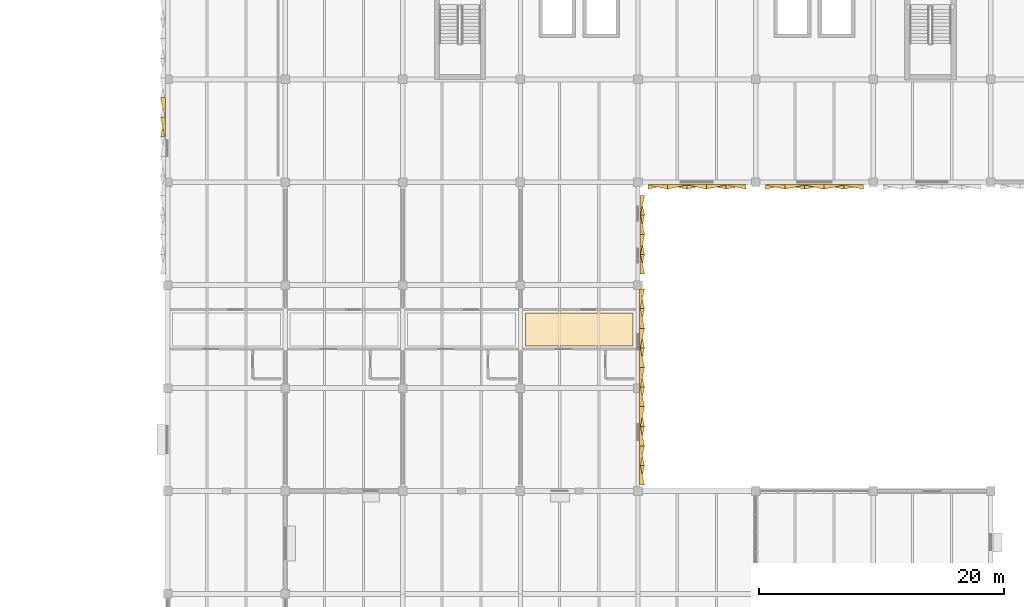
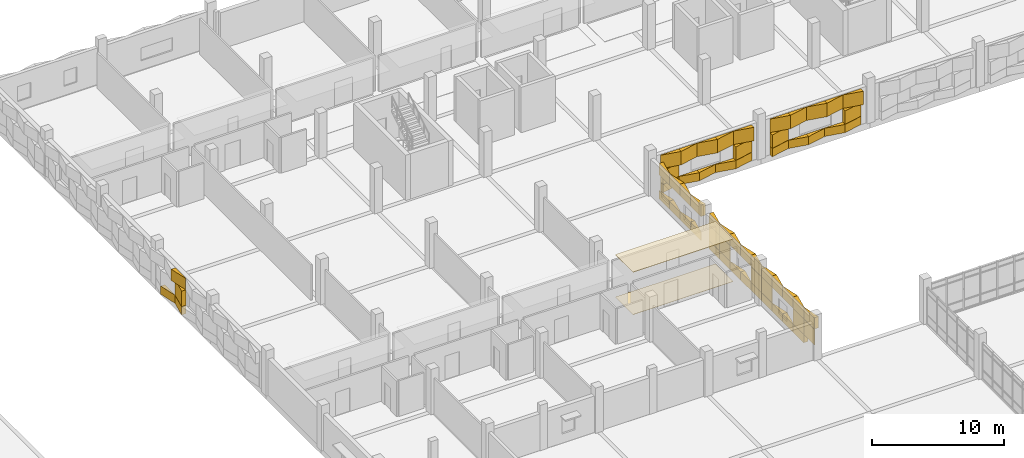
# One storey, part 53 of 57: 63 coverings.
"""IFC4 building model written with IfcOpenShell, lengths in metres."""

from ifc_helpers import new_model, si_unit, direction, frame, origin, place, context, subcontext, project, spatial, polyline, outline, extrude, material, layer, layer_set, type_object, element, save


model = new_model("IFC4")

# Units and contexts
model_context = context("Model", 3, precision=1e-05, world=origin(), true_north=direction((0.0, 1.0)))
body_context = subcontext(model_context, "Body", "Model", "MODEL_VIEW")
ifc_project = project(units=[si_unit("LENGTHUNIT", "METRE"), si_unit("AREAUNIT", "SQUARE_METRE"), si_unit("VOLUMEUNIT", "CUBIC_METRE"), si_unit("PLANEANGLEUNIT", "RADIAN"), si_unit("MASSUNIT", "GRAM", prefix="KILO")], contexts=[model_context])

# Site, building, storey
site_placement = place(None, origin())
site = spatial("IfcSite", under=ifc_project, at=site_placement, CompositionType="ELEMENT")
building_placement = place(site_placement, origin())
building = spatial("IfcBuilding", under=site, at=building_placement, Name="Oolite Switchyard Hospital", CompositionType="ELEMENT")
storey_placement = place(building_placement, frame((0.0, 0.0, 17.800048828125)))
storey = spatial("IfcBuildingStorey", under=building, at=storey_placement, Name="L04", CompositionType="ELEMENT", Elevation=17.800048828125)

# Coverings
ifc_material_1 = material(Name="Hygienic washable mineral-fibre acoustic ceiling")
ifc_layer_1 = layer(ifc_material_1, 0.0400390625)
ifc_layer_set_1 = layer_set([ifc_layer_1], Name="COV-CEIL-AC60")
covering_type_1 = type_object("IfcCoveringType", Name="COV-CEIL-AC60", PredefinedType="CEILING", material=ifc_layer_set_1)
covering_1_placement = place(storey_placement, frame((0.0, 0.0, 3.925048828125)))
element("IfcCovering", 1, at=covering_1_placement, inside=storey, type_object=covering_type_1, Name="L04 Hematology Stem-Cell Link Corridor L04 Ceiling 4", PredefinedType="CEILING", context=body_context, shape_type="SweptSolid", body=[
    extrude(outline(polyline([(163.60009765625, 87.449951171875), (172.39990234375, 87.449951171875), (172.39990234375, 90.14990234375), (163.60009765625, 90.14990234375), (163.60009765625, 87.449951171875)])), origin(), (0.0, 0.0, 1.0), 0.039794921875),
])
ifc_material_2 = material(Name="Precast oolitic limestone architectural concrete C40/50", Category="masonry")
covering_type_2 = type_object("IfcCoveringType", Name="COV-CHEV-COOL", PredefinedType="CLADDING", material=ifc_material_2)
covering_2_placement = place(storey_placement, frame((181.60009765625, 100.6298828125, 0.050048828125), z_axis=(0.0, 0.0, 1.0), x_axis=(-1.0, 0.0, 0.0)))
element("IfcCovering", 2, at=covering_2_placement, inside=storey, type_object=covering_type_2, Name="L04 Chevron Precast Oolite Panel 700", PredefinedType="CLADDING", context=body_context, shape_type="SweptSolid", body=[
    extrude(outline(polyline([(0.0, 0.0), (1.60009765625, 0.0), (1.60009765625, 0.385009765625), (0.0, 0.044921875), (0.0, 0.0)])), origin(), (0.0, 0.0, 1.0), 0.760009765625),
])
covering_3_placement = place(storey_placement, frame((181.60009765625, 100.6298828125, 2.08984375), z_axis=(0.0, 0.0, 1.0), x_axis=(-1.0, 0.0, 0.0)))
element("IfcCovering", 3, at=covering_3_placement, inside=storey, type_object=covering_type_2, Name="L04 Chevron Precast Oolite Panel 701", PredefinedType="CLADDING", context=body_context, shape_type="SweptSolid", body=[
    extrude(outline(polyline([(0.0, 0.0), (1.60009765625, 0.0), (1.60009765625, 0.044921875), (0.0, 0.385009765625), (0.0, 0.0)])), origin(), (0.0, 0.0, 1.0), 1.25),
])
covering_4_placement = place(storey_placement, frame((181.60009765625, 100.6298828125, 0.829833984375), z_axis=(0.0, 0.0, 1.0), x_axis=(-1.0, 0.0, 0.0)))
element("IfcCovering", 4, at=covering_4_placement, inside=storey, type_object=covering_type_2, Name="L04 Chevron Precast Oolite Panel 702", PredefinedType="CLADDING", context=body_context, shape_type="SweptSolid", body=[
    extrude(outline(polyline([(0.0, 0.0), (1.60009765625, 0.0), (1.60009765625, 0.385009765625), (0.0, 0.044921875), (0.0, 0.0)])), origin(), (0.0, 0.0, 1.0), 1.240234375),
])
covering_5_placement = place(storey_placement, frame((180.0, 100.6298828125, 0.050048828125), z_axis=(0.0, 0.0, 1.0), x_axis=(-1.0, 0.0, 0.0)))
element("IfcCovering", 5, at=covering_5_placement, inside=storey, type_object=covering_type_2, Name="L04 Chevron Precast Oolite Panel 703", PredefinedType="CLADDING", context=body_context, shape_type="SweptSolid", body=[
    extrude(outline(polyline([(0.0, 0.0), (1.60009765625, 0.0), (1.60009765625, 0.044921875), (0.0, 0.385009765625), (0.0, 0.0)])), origin(), (0.0, 0.0, 1.0), 0.760009765625),
])
covering_6_placement = place(storey_placement, frame((180.0, 100.6298828125, 2.08984375), z_axis=(0.0, 0.0, 1.0), x_axis=(-1.0, 0.0, 0.0)))
element("IfcCovering", 6, at=covering_6_placement, inside=storey, type_object=covering_type_2, Name="L04 Chevron Precast Oolite Panel 704", PredefinedType="CLADDING", context=body_context, shape_type="SweptSolid", body=[
    extrude(outline(polyline([(0.0, 0.0), (1.60009765625, 0.0), (1.60009765625, 0.385009765625), (0.0, 0.044921875), (0.0, 0.0)])), origin(), (0.0, 0.0, 1.0), 1.25),
])
covering_7_placement = place(storey_placement, frame((178.39990234375, 100.6298828125, 0.050048828125), z_axis=(0.0, 0.0, 1.0), x_axis=(-1.0, 0.0, 0.0)))
element("IfcCovering", 7, at=covering_7_placement, inside=storey, type_object=covering_type_2, Name="L04 Chevron Precast Oolite Panel 705", PredefinedType="CLADDING", context=body_context, shape_type="SweptSolid", body=[
    extrude(outline(polyline([(0.0, 0.0), (1.599853515625, 0.0), (1.599853515625, 0.385009765625), (0.0, 0.044921875), (0.0, 0.0)])), origin(), (0.0, 0.0, 1.0), 0.760009765625),
])
covering_8_placement = place(storey_placement, frame((178.39990234375, 100.6298828125, 2.08984375), z_axis=(0.0, 0.0, 1.0), x_axis=(-1.0, 0.0, 0.0)))
element("IfcCovering", 8, at=covering_8_placement, inside=storey, type_object=covering_type_2, Name="L04 Chevron Precast Oolite Panel 706", PredefinedType="CLADDING", context=body_context, shape_type="SweptSolid", body=[
    extrude(outline(polyline([(0.0, 0.0), (1.599853515625, 0.0), (1.599853515625, 0.044921875), (0.0, 0.385009765625), (0.0, 0.0)])), origin(), (0.0, 0.0, 1.0), 1.25),
])
covering_9_placement = place(storey_placement, frame((176.800048828125, 100.6298828125, 0.050048828125), z_axis=(0.0, 0.0, 1.0), x_axis=(-1.0, 0.0, 0.0)))
element("IfcCovering", 9, at=covering_9_placement, inside=storey, type_object=covering_type_2, Name="L04 Chevron Precast Oolite Panel 707", PredefinedType="CLADDING", context=body_context, shape_type="SweptSolid", body=[
    extrude(outline(polyline([(0.0, 0.0), (1.60009765625, 0.0), (1.60009765625, 0.044921875), (0.0, 0.385009765625), (0.0, 0.0)])), origin(), (0.0, 0.0, 1.0), 0.760009765625),
])
covering_10_placement = place(storey_placement, frame((176.800048828125, 100.6298828125, 2.08984375), z_axis=(0.0, 0.0, 1.0), x_axis=(-1.0, 0.0, 0.0)))
element("IfcCovering", 10, at=covering_10_placement, inside=storey, type_object=covering_type_2, Name="L04 Chevron Precast Oolite Panel 708", PredefinedType="CLADDING", context=body_context, shape_type="SweptSolid", body=[
    extrude(outline(polyline([(0.0, 0.0), (1.60009765625, 0.0), (1.60009765625, 0.385009765625), (0.0, 0.044921875), (0.0, 0.0)])), origin(), (0.0, 0.0, 1.0), 1.25),
])
covering_11_placement = place(storey_placement, frame((175.199951171875, 100.6298828125, 0.050048828125), z_axis=(0.0, 0.0, 1.0), x_axis=(-1.0, 0.0, 0.0)))
element("IfcCovering", 11, at=covering_11_placement, inside=storey, type_object=covering_type_2, Name="L04 Chevron Precast Oolite Panel 709", PredefinedType="CLADDING", context=body_context, shape_type="SweptSolid", body=[
    extrude(outline(polyline([(0.0, 0.0), (1.599853515625, 0.0), (1.599853515625, 0.385009765625), (0.0, 0.044921875), (0.0, 0.0)])), origin(), (0.0, 0.0, 1.0), 0.760009765625),
])
covering_12_placement = place(storey_placement, frame((175.199951171875, 100.6298828125, 2.08984375), z_axis=(0.0, 0.0, 1.0), x_axis=(-1.0, 0.0, 0.0)))
element("IfcCovering", 12, at=covering_12_placement, inside=storey, type_object=covering_type_2, Name="L04 Chevron Precast Oolite Panel 710", PredefinedType="CLADDING", context=body_context, shape_type="SweptSolid", body=[
    extrude(outline(polyline([(0.0, 0.0), (1.599853515625, 0.0), (1.599853515625, 0.044921875), (0.0, 0.385009765625), (0.0, 0.0)])), origin(), (0.0, 0.0, 1.0), 1.25),
])
covering_13_placement = place(storey_placement, frame((175.199951171875, 100.6298828125, 0.829833984375), z_axis=(0.0, 0.0, 1.0), x_axis=(-1.0, 0.0, 0.0)))
element("IfcCovering", 13, at=covering_13_placement, inside=storey, type_object=covering_type_2, Name="L04 Chevron Precast Oolite Panel 711", PredefinedType="CLADDING", context=body_context, shape_type="SweptSolid", body=[
    extrude(outline(polyline([(0.0, 0.0), (1.599853515625, 0.0), (1.599853515625, 0.385009765625), (0.0, 0.044921875), (0.0, 0.0)])), origin(), (0.0, 0.0, 1.0), 1.240234375),
])
covering_14_placement = place(storey_placement, frame((191.199951171875, 100.6201171875, 0.050048828125), z_axis=(0.0, 0.0, 1.0), x_axis=(-1.0, 0.0, 0.0)))
element("IfcCovering", 14, at=covering_14_placement, inside=storey, type_object=covering_type_2, Name="L04 Chevron Precast Oolite Panel 712", PredefinedType="CLADDING", context=body_context, shape_type="SweptSolid", body=[
    extrude(outline(polyline([(0.0, 0.0), (1.599853515625, 0.0), (1.599853515625, 0.385009765625), (0.0, 0.044921875), (0.0, 0.0)])), origin(), (0.0, 0.0, 1.0), 0.760009765625),
])
covering_15_placement = place(storey_placement, frame((191.199951171875, 100.6201171875, 2.08984375), z_axis=(0.0, 0.0, 1.0), x_axis=(-1.0, 0.0, 0.0)))
element("IfcCovering", 15, at=covering_15_placement, inside=storey, type_object=covering_type_2, Name="L04 Chevron Precast Oolite Panel 713", PredefinedType="CLADDING", context=body_context, shape_type="SweptSolid", body=[
    extrude(outline(polyline([(0.0, 0.0), (1.599853515625, 0.0), (1.599853515625, 0.044921875), (0.0, 0.385009765625), (0.0, 0.0)])), origin(), (0.0, 0.0, 1.0), 1.25),
])
covering_16_placement = place(storey_placement, frame((191.199951171875, 100.6201171875, 0.829833984375), z_axis=(0.0, 0.0, 1.0), x_axis=(-1.0, 0.0, 0.0)))
element("IfcCovering", 16, at=covering_16_placement, inside=storey, type_object=covering_type_2, Name="L04 Chevron Precast Oolite Panel 714", PredefinedType="CLADDING", context=body_context, shape_type="SweptSolid", body=[
    extrude(outline(polyline([(0.0, 0.0), (1.599853515625, 0.0), (1.599853515625, 0.385009765625), (0.0, 0.044921875), (0.0, 0.0)])), origin(), (0.0, 0.0, 1.0), 1.240234375),
])
covering_17_placement = place(storey_placement, frame((189.60009765625, 100.6201171875, 0.050048828125), z_axis=(0.0, 0.0, 1.0), x_axis=(-1.0, 0.0, 0.0)))
element("IfcCovering", 17, at=covering_17_placement, inside=storey, type_object=covering_type_2, Name="L04 Chevron Precast Oolite Panel 715", PredefinedType="CLADDING", context=body_context, shape_type="SweptSolid", body=[
    extrude(outline(polyline([(0.0, 0.0), (1.60009765625, 0.0), (1.60009765625, 0.044921875), (0.0, 0.385009765625), (0.0, 0.0)])), origin(), (0.0, 0.0, 1.0), 0.760009765625),
])
covering_18_placement = place(storey_placement, frame((189.60009765625, 100.6201171875, 2.08984375), z_axis=(0.0, 0.0, 1.0), x_axis=(-1.0, 0.0, 0.0)))
element("IfcCovering", 18, at=covering_18_placement, inside=storey, type_object=covering_type_2, Name="L04 Chevron Precast Oolite Panel 716", PredefinedType="CLADDING", context=body_context, shape_type="SweptSolid", body=[
    extrude(outline(polyline([(0.0, 0.0), (1.60009765625, 0.0), (1.60009765625, 0.385009765625), (0.0, 0.044921875), (0.0, 0.0)])), origin(), (0.0, 0.0, 1.0), 1.25),
])
covering_19_placement = place(storey_placement, frame((188.0, 100.6201171875, 0.050048828125), z_axis=(0.0, 0.0, 1.0), x_axis=(-1.0, 0.0, 0.0)))
element("IfcCovering", 19, at=covering_19_placement, inside=storey, type_object=covering_type_2, Name="L04 Chevron Precast Oolite Panel 717", PredefinedType="CLADDING", context=body_context, shape_type="SweptSolid", body=[
    extrude(outline(polyline([(0.0, 0.0), (1.60009765625, 0.0), (1.60009765625, 0.385009765625), (0.0, 0.044921875), (0.0, 0.0)])), origin(), (0.0, 0.0, 1.0), 0.760009765625),
])
covering_20_placement = place(storey_placement, frame((188.0, 100.6201171875, 2.08984375), z_axis=(0.0, 0.0, 1.0), x_axis=(-1.0, 0.0, 0.0)))
element("IfcCovering", 20, at=covering_20_placement, inside=storey, type_object=covering_type_2, Name="L04 Chevron Precast Oolite Panel 718", PredefinedType="CLADDING", context=body_context, shape_type="SweptSolid", body=[
    extrude(outline(polyline([(0.0, 0.0), (1.60009765625, 0.0), (1.60009765625, 0.044921875), (0.0, 0.385009765625), (0.0, 0.0)])), origin(), (0.0, 0.0, 1.0), 1.25),
])
covering_21_placement = place(storey_placement, frame((186.39990234375, 100.6201171875, 0.050048828125), z_axis=(0.0, 0.0, 1.0), x_axis=(-1.0, 0.0, 0.0)))
element("IfcCovering", 21, at=covering_21_placement, inside=storey, type_object=covering_type_2, Name="L04 Chevron Precast Oolite Panel 719", PredefinedType="CLADDING", context=body_context, shape_type="SweptSolid", body=[
    extrude(outline(polyline([(0.0, 0.0), (1.599853515625, 0.0), (1.599853515625, 0.044921875), (0.0, 0.385009765625), (0.0, 0.0)])), origin(), (0.0, 0.0, 1.0), 0.760009765625),
])
covering_22_placement = place(storey_placement, frame((186.39990234375, 100.6201171875, 2.08984375), z_axis=(0.0, 0.0, 1.0), x_axis=(-1.0, 0.0, 0.0)))
element("IfcCovering", 22, at=covering_22_placement, inside=storey, type_object=covering_type_2, Name="L04 Chevron Precast Oolite Panel 720", PredefinedType="CLADDING", context=body_context, shape_type="SweptSolid", body=[
    extrude(outline(polyline([(0.0, 0.0), (1.599853515625, 0.0), (1.599853515625, 0.385009765625), (0.0, 0.044921875), (0.0, 0.0)])), origin(), (0.0, 0.0, 1.0), 1.25),
])
covering_23_placement = place(storey_placement, frame((184.800048828125, 100.6201171875, 0.050048828125), z_axis=(0.0, 0.0, 1.0), x_axis=(-1.0, 0.0, 0.0)))
element("IfcCovering", 23, at=covering_23_placement, inside=storey, type_object=covering_type_2, Name="L04 Chevron Precast Oolite Panel 721", PredefinedType="CLADDING", context=body_context, shape_type="SweptSolid", body=[
    extrude(outline(polyline([(0.0, 0.0), (1.60009765625, 0.0), (1.60009765625, 0.385009765625), (0.0, 0.044921875), (0.0, 0.0)])), origin(), (0.0, 0.0, 1.0), 0.760009765625),
])
covering_24_placement = place(storey_placement, frame((184.800048828125, 100.6201171875, 2.08984375), z_axis=(0.0, 0.0, 1.0), x_axis=(-1.0, 0.0, 0.0)))
element("IfcCovering", 24, at=covering_24_placement, inside=storey, type_object=covering_type_2, Name="L04 Chevron Precast Oolite Panel 722", PredefinedType="CLADDING", context=body_context, shape_type="SweptSolid", body=[
    extrude(outline(polyline([(0.0, 0.0), (1.60009765625, 0.0), (1.60009765625, 0.044921875), (0.0, 0.385009765625), (0.0, 0.0)])), origin(), (0.0, 0.0, 1.0), 1.25),
])
covering_25_placement = place(storey_placement, frame((184.800048828125, 100.6201171875, 0.829833984375), z_axis=(0.0, 0.0, 1.0), x_axis=(-1.0, 0.0, 0.0)))
element("IfcCovering", 25, at=covering_25_placement, inside=storey, type_object=covering_type_2, Name="L04 Chevron Precast Oolite Panel 723", PredefinedType="CLADDING", context=body_context, shape_type="SweptSolid", body=[
    extrude(outline(polyline([(0.0, 0.0), (1.60009765625, 0.0), (1.60009765625, 0.385009765625), (0.0, 0.044921875), (0.0, 0.0)])), origin(), (0.0, 0.0, 1.0), 1.240234375),
])
covering_26_placement = place(storey_placement, frame((134.2099609375, 104.52001953125, 0.050048828125), z_axis=(0.0, 0.0, 1.0), x_axis=(0.0, 1.0, 0.0)))
element("IfcCovering", 26, at=covering_26_placement, inside=storey, type_object=covering_type_2, Name="L04 Chevron Precast Oolite Panel 888", PredefinedType="CLADDING", context=body_context, shape_type="SweptSolid", body=[
    extrude(outline(polyline([(0.0, 0.0), (1.60009765625, 0.0), (1.60009765625, 0.044921875), (0.0, 0.385009765625), (0.0, 0.0)])), origin(), (0.0, 0.0, 1.0), 0.760009765625),
])
covering_27_placement = place(storey_placement, frame((134.2099609375, 104.52001953125, 2.2900390625), z_axis=(0.0, 0.0, 1.0), x_axis=(0.0, 1.0, 0.0)))
element("IfcCovering", 27, at=covering_27_placement, inside=storey, type_object=covering_type_2, Name="L04 Chevron Precast Oolite Panel 889", PredefinedType="CLADDING", context=body_context, shape_type="SweptSolid", body=[
    extrude(outline(polyline([(0.0, 0.0), (1.60009765625, 0.0), (1.60009765625, 0.385009765625), (0.0, 0.044921875), (0.0, 0.0)])), origin(), (0.0, 0.0, 1.0), 1.0498046875),
])
covering_28_placement = place(storey_placement, frame((134.2099609375, 104.52001953125, 0.829833984375), z_axis=(0.0, 0.0, 1.0), x_axis=(0.0, 1.0, 0.0)))
element("IfcCovering", 28, at=covering_28_placement, inside=storey, type_object=covering_type_2, Name="L04 Chevron Precast Oolite Panel 890", PredefinedType="CLADDING", context=body_context, shape_type="SweptSolid", body=[
    extrude(outline(polyline([(0.0, 0.0), (1.60009765625, 0.0), (1.60009765625, 0.044921875), (0.0, 0.385009765625), (0.0, 0.0)])), origin(), (0.0, 0.0, 1.0), 1.440185546875),
])
covering_29_placement = place(storey_placement, frame((134.2099609375, 106.1201171875, 0.050048828125), z_axis=(0.0, 0.0, 1.0), x_axis=(0.0, 1.0, 0.0)))
element("IfcCovering", 29, at=covering_29_placement, inside=storey, type_object=covering_type_2, Name="L04 Chevron Precast Oolite Panel 891", PredefinedType="CLADDING", context=body_context, shape_type="SweptSolid", body=[
    extrude(outline(polyline([(0.0, 0.0), (1.599853515625, 0.0), (1.599853515625, 0.385009765625), (0.0, 0.044921875), (0.0, 0.0)])), origin(), (0.0, 0.0, 1.0), 0.760009765625),
])
covering_30_placement = place(storey_placement, frame((172.93994140625, 92.080078125, 0.050048828125), z_axis=(0.0, 0.0, 1.0), x_axis=(0.0, -1.0, 0.0)))
element("IfcCovering", 30, at=covering_30_placement, inside=storey, type_object=covering_type_2, Name="L04 Chevron Precast Oolite Panel 941", PredefinedType="CLADDING", context=body_context, shape_type="SweptSolid", body=[
    extrude(outline(polyline([(0.0, 0.0), (1.60009765625, 0.0), (1.60009765625, 0.385009765625), (0.0, 0.044921875), (0.0, 0.0)])), origin(), (0.0, 0.0, 1.0), 0.760009765625),
])
covering_31_placement = place(storey_placement, frame((172.93994140625, 92.080078125, 2.2900390625), z_axis=(0.0, 0.0, 1.0), x_axis=(0.0, -1.0, 0.0)))
element("IfcCovering", 31, at=covering_31_placement, inside=storey, type_object=covering_type_2, Name="L04 Chevron Precast Oolite Panel 942", PredefinedType="CLADDING", context=body_context, shape_type="SweptSolid", body=[
    extrude(outline(polyline([(0.0, 0.0), (1.60009765625, 0.0), (1.60009765625, 0.044921875), (0.0, 0.385009765625), (0.0, 0.0)])), origin(), (0.0, 0.0, 1.0), 1.0498046875),
])
covering_32_placement = place(storey_placement, frame((172.93994140625, 92.080078125, 0.829833984375), z_axis=(0.0, 0.0, 1.0), x_axis=(0.0, -1.0, 0.0)))
element("IfcCovering", 32, at=covering_32_placement, inside=storey, type_object=covering_type_2, Name="L04 Chevron Precast Oolite Panel 943", PredefinedType="CLADDING", context=body_context, shape_type="SweptSolid", body=[
    extrude(outline(polyline([(0.0, 0.0), (1.60009765625, 0.0), (1.60009765625, 0.385009765625), (0.0, 0.044921875), (0.0, 0.0)])), origin(), (0.0, 0.0, 1.0), 1.440185546875),
])
covering_33_placement = place(storey_placement, frame((172.93994140625, 90.47998046875, 0.050048828125), z_axis=(0.0, 0.0, 1.0), x_axis=(0.0, -1.0, 0.0)))
element("IfcCovering", 33, at=covering_33_placement, inside=storey, type_object=covering_type_2, Name="L04 Chevron Precast Oolite Panel 944", PredefinedType="CLADDING", context=body_context, shape_type="SweptSolid", body=[
    extrude(outline(polyline([(0.0, 0.0), (1.60009765625, 0.0), (1.60009765625, 0.044921875), (0.0, 0.385009765625), (0.0, 0.0)])), origin(), (0.0, 0.0, 1.0), 0.760009765625),
])
covering_34_placement = place(storey_placement, frame((172.93994140625, 90.47998046875, 2.2900390625), z_axis=(0.0, 0.0, 1.0), x_axis=(0.0, -1.0, 0.0)))
element("IfcCovering", 34, at=covering_34_placement, inside=storey, type_object=covering_type_2, Name="L04 Chevron Precast Oolite Panel 945", PredefinedType="CLADDING", context=body_context, shape_type="SweptSolid", body=[
    extrude(outline(polyline([(0.0, 0.0), (1.60009765625, 0.0), (1.60009765625, 0.385009765625), (0.0, 0.044921875), (0.0, 0.0)])), origin(), (0.0, 0.0, 1.0), 1.0498046875),
])
covering_35_placement = place(storey_placement, frame((172.93994140625, 90.47998046875, 0.829833984375), z_axis=(0.0, 0.0, 1.0), x_axis=(0.0, -1.0, 0.0)))
element("IfcCovering", 35, at=covering_35_placement, inside=storey, type_object=covering_type_2, Name="L04 Chevron Precast Oolite Panel 946", PredefinedType="CLADDING", context=body_context, shape_type="SweptSolid", body=[
    extrude(outline(polyline([(0.0, 0.0), (1.60009765625, 0.0), (1.60009765625, 0.044921875), (0.0, 0.385009765625), (0.0, 0.0)])), origin(), (0.0, 0.0, 1.0), 1.440185546875),
])
covering_36_placement = place(storey_placement, frame((172.93994140625, 88.8798828125, 0.050048828125), z_axis=(0.0, 0.0, 1.0), x_axis=(0.0, -1.0, 0.0)))
element("IfcCovering", 36, at=covering_36_placement, inside=storey, type_object=covering_type_2, Name="L04 Chevron Precast Oolite Panel 947", PredefinedType="CLADDING", context=body_context, shape_type="SweptSolid", body=[
    extrude(outline(polyline([(0.0, 0.0), (1.599853515625, 0.0), (1.599853515625, 0.385009765625), (0.0, 0.044921875), (0.0, 0.0)])), origin(), (0.0, 0.0, 1.0), 0.760009765625),
])
covering_37_placement = place(storey_placement, frame((172.93994140625, 88.8798828125, 2.2900390625), z_axis=(0.0, 0.0, 1.0), x_axis=(0.0, -1.0, 0.0)))
element("IfcCovering", 37, at=covering_37_placement, inside=storey, type_object=covering_type_2, Name="L04 Chevron Precast Oolite Panel 948", PredefinedType="CLADDING", context=body_context, shape_type="SweptSolid", body=[
    extrude(outline(polyline([(0.0, 0.0), (1.599853515625, 0.0), (1.599853515625, 0.044921875), (0.0, 0.385009765625), (0.0, 0.0)])), origin(), (0.0, 0.0, 1.0), 1.0498046875),
])
covering_38_placement = place(storey_placement, frame((172.93994140625, 87.280029296875, 0.050048828125), z_axis=(0.0, 0.0, 1.0), x_axis=(0.0, -1.0, 0.0)))
element("IfcCovering", 38, at=covering_38_placement, inside=storey, type_object=covering_type_2, Name="L04 Chevron Precast Oolite Panel 949", PredefinedType="CLADDING", context=body_context, shape_type="SweptSolid", body=[
    extrude(outline(polyline([(0.0, 0.0), (1.60009765625, 0.0), (1.60009765625, 0.044921875), (0.0, 0.385009765625), (0.0, 0.0)])), origin(), (0.0, 0.0, 1.0), 0.760009765625),
])
covering_39_placement = place(storey_placement, frame((172.93994140625, 87.280029296875, 2.2900390625), z_axis=(0.0, 0.0, 1.0), x_axis=(0.0, -1.0, 0.0)))
element("IfcCovering", 39, at=covering_39_placement, inside=storey, type_object=covering_type_2, Name="L04 Chevron Precast Oolite Panel 950", PredefinedType="CLADDING", context=body_context, shape_type="SweptSolid", body=[
    extrude(outline(polyline([(0.0, 0.0), (1.60009765625, 0.0), (1.60009765625, 0.385009765625), (0.0, 0.044921875), (0.0, 0.0)])), origin(), (0.0, 0.0, 1.0), 1.0498046875),
])
covering_40_placement = place(storey_placement, frame((172.93994140625, 85.679931640625, 0.050048828125), z_axis=(0.0, 0.0, 1.0), x_axis=(0.0, -1.0, 0.0)))
element("IfcCovering", 40, at=covering_40_placement, inside=storey, type_object=covering_type_2, Name="L04 Chevron Precast Oolite Panel 951", PredefinedType="CLADDING", context=body_context, shape_type="SweptSolid", body=[
    extrude(outline(polyline([(0.0, 0.0), (1.599853515625, 0.0), (1.599853515625, 0.385009765625), (0.0, 0.044921875), (0.0, 0.0)])), origin(), (0.0, 0.0, 1.0), 0.760009765625),
])
covering_41_placement = place(storey_placement, frame((172.93994140625, 85.679931640625, 2.2900390625), z_axis=(0.0, 0.0, 1.0), x_axis=(0.0, -1.0, 0.0)))
element("IfcCovering", 41, at=covering_41_placement, inside=storey, type_object=covering_type_2, Name="L04 Chevron Precast Oolite Panel 952", PredefinedType="CLADDING", context=body_context, shape_type="SweptSolid", body=[
    extrude(outline(polyline([(0.0, 0.0), (1.599853515625, 0.0), (1.599853515625, 0.044921875), (0.0, 0.385009765625), (0.0, 0.0)])), origin(), (0.0, 0.0, 1.0), 1.0498046875),
])
covering_42_placement = place(storey_placement, frame((172.93994140625, 85.679931640625, 0.829833984375), z_axis=(0.0, 0.0, 1.0), x_axis=(0.0, -1.0, 0.0)))
element("IfcCovering", 42, at=covering_42_placement, inside=storey, type_object=covering_type_2, Name="L04 Chevron Precast Oolite Panel 953", PredefinedType="CLADDING", context=body_context, shape_type="SweptSolid", body=[
    extrude(outline(polyline([(0.0, 0.0), (1.599853515625, 0.0), (1.599853515625, 0.385009765625), (0.0, 0.044921875), (0.0, 0.0)])), origin(), (0.0, 0.0, 1.0), 1.440185546875),
])
covering_43_placement = place(storey_placement, frame((172.93994140625, 84.080078125, 0.050048828125), z_axis=(0.0, 0.0, 1.0), x_axis=(0.0, -1.0, 0.0)))
element("IfcCovering", 43, at=covering_43_placement, inside=storey, type_object=covering_type_2, Name="L04 Chevron Precast Oolite Panel 954", PredefinedType="CLADDING", context=body_context, shape_type="SweptSolid", body=[
    extrude(outline(polyline([(0.0, 0.0), (1.60009765625, 0.0), (1.60009765625, 0.044921875), (0.0, 0.385009765625), (0.0, 0.0)])), origin(), (0.0, 0.0, 1.0), 0.760009765625),
])
covering_44_placement = place(storey_placement, frame((172.93994140625, 84.080078125, 2.2900390625), z_axis=(0.0, 0.0, 1.0), x_axis=(0.0, -1.0, 0.0)))
element("IfcCovering", 44, at=covering_44_placement, inside=storey, type_object=covering_type_2, Name="L04 Chevron Precast Oolite Panel 955", PredefinedType="CLADDING", context=body_context, shape_type="SweptSolid", body=[
    extrude(outline(polyline([(0.0, 0.0), (1.60009765625, 0.0), (1.60009765625, 0.385009765625), (0.0, 0.044921875), (0.0, 0.0)])), origin(), (0.0, 0.0, 1.0), 1.0498046875),
])
covering_45_placement = place(storey_placement, frame((172.93994140625, 84.080078125, 0.829833984375), z_axis=(0.0, 0.0, 1.0), x_axis=(0.0, -1.0, 0.0)))
element("IfcCovering", 45, at=covering_45_placement, inside=storey, type_object=covering_type_2, Name="L04 Chevron Precast Oolite Panel 956", PredefinedType="CLADDING", context=body_context, shape_type="SweptSolid", body=[
    extrude(outline(polyline([(0.0, 0.0), (1.60009765625, 0.0), (1.60009765625, 0.044921875), (0.0, 0.385009765625), (0.0, 0.0)])), origin(), (0.0, 0.0, 1.0), 1.440185546875),
])
covering_46_placement = place(storey_placement, frame((172.93994140625, 82.47998046875, 0.050048828125), z_axis=(0.0, 0.0, 1.0), x_axis=(0.0, -1.0, 0.0)))
element("IfcCovering", 46, at=covering_46_placement, inside=storey, type_object=covering_type_2, Name="L04 Chevron Precast Oolite Panel 957", PredefinedType="CLADDING", context=body_context, shape_type="SweptSolid", body=[
    extrude(outline(polyline([(0.0, 0.0), (1.60009765625, 0.0), (1.60009765625, 0.385009765625), (0.0, 0.044921875), (0.0, 0.0)])), origin(), (0.0, 0.0, 1.0), 0.760009765625),
])
covering_47_placement = place(storey_placement, frame((172.93994140625, 82.47998046875, 2.2900390625), z_axis=(0.0, 0.0, 1.0), x_axis=(0.0, -1.0, 0.0)))
element("IfcCovering", 47, at=covering_47_placement, inside=storey, type_object=covering_type_2, Name="L04 Chevron Precast Oolite Panel 958", PredefinedType="CLADDING", context=body_context, shape_type="SweptSolid", body=[
    extrude(outline(polyline([(0.0, 0.0), (1.60009765625, 0.0), (1.60009765625, 0.044921875), (0.0, 0.385009765625), (0.0, 0.0)])), origin(), (0.0, 0.0, 1.0), 1.0498046875),
])
covering_48_placement = place(storey_placement, frame((172.93994140625, 80.8798828125, 0.050048828125), z_axis=(0.0, 0.0, 1.0), x_axis=(0.0, -1.0, 0.0)))
element("IfcCovering", 48, at=covering_48_placement, inside=storey, type_object=covering_type_2, Name="L04 Chevron Precast Oolite Panel 959", PredefinedType="CLADDING", context=body_context, shape_type="SweptSolid", body=[
    extrude(outline(polyline([(0.0, 0.0), (1.599853515625, 0.0), (1.599853515625, 0.044921875), (0.0, 0.385009765625), (0.0, 0.0)])), origin(), (0.0, 0.0, 1.0), 0.760009765625),
])
covering_49_placement = place(storey_placement, frame((172.93994140625, 80.8798828125, 2.2900390625), z_axis=(0.0, 0.0, 1.0), x_axis=(0.0, -1.0, 0.0)))
element("IfcCovering", 49, at=covering_49_placement, inside=storey, type_object=covering_type_2, Name="L04 Chevron Precast Oolite Panel 960", PredefinedType="CLADDING", context=body_context, shape_type="SweptSolid", body=[
    extrude(outline(polyline([(0.0, 0.0), (1.599853515625, 0.0), (1.599853515625, 0.385009765625), (0.0, 0.044921875), (0.0, 0.0)])), origin(), (0.0, 0.0, 1.0), 1.0498046875),
])
covering_50_placement = place(storey_placement, frame((172.93994140625, 79.280029296875, 0.050048828125), z_axis=(0.0, 0.0, 1.0), x_axis=(0.0, -1.0, 0.0)))
element("IfcCovering", 50, at=covering_50_placement, inside=storey, type_object=covering_type_2, Name="L04 Chevron Precast Oolite Panel 961", PredefinedType="CLADDING", context=body_context, shape_type="SweptSolid", body=[
    extrude(outline(polyline([(0.0, 0.0), (1.60009765625, 0.0), (1.60009765625, 0.385009765625), (0.0, 0.044921875), (0.0, 0.0)])), origin(), (0.0, 0.0, 1.0), 0.760009765625),
])
covering_51_placement = place(storey_placement, frame((172.93994140625, 79.280029296875, 2.2900390625), z_axis=(0.0, 0.0, 1.0), x_axis=(0.0, -1.0, 0.0)))
element("IfcCovering", 51, at=covering_51_placement, inside=storey, type_object=covering_type_2, Name="L04 Chevron Precast Oolite Panel 962", PredefinedType="CLADDING", context=body_context, shape_type="SweptSolid", body=[
    extrude(outline(polyline([(0.0, 0.0), (1.60009765625, 0.0), (1.60009765625, 0.044921875), (0.0, 0.385009765625), (0.0, 0.0)])), origin(), (0.0, 0.0, 1.0), 1.0498046875),
])
covering_52_placement = place(storey_placement, frame((172.93994140625, 79.280029296875, 0.829833984375), z_axis=(0.0, 0.0, 1.0), x_axis=(0.0, -1.0, 0.0)))
element("IfcCovering", 52, at=covering_52_placement, inside=storey, type_object=covering_type_2, Name="L04 Chevron Precast Oolite Panel 963", PredefinedType="CLADDING", context=body_context, shape_type="SweptSolid", body=[
    extrude(outline(polyline([(0.0, 0.0), (1.60009765625, 0.0), (1.60009765625, 0.385009765625), (0.0, 0.044921875), (0.0, 0.0)])), origin(), (0.0, 0.0, 1.0), 1.440185546875),
])
covering_53_placement = place(storey_placement, frame((172.93994140625, 77.679931640625, 2.2900390625), z_axis=(0.0, 0.0, 1.0), x_axis=(0.0, -1.0, 0.0)))
element("IfcCovering", 53, at=covering_53_placement, inside=storey, type_object=covering_type_2, Name="L04 Chevron Precast Oolite Panel 965", PredefinedType="CLADDING", context=body_context, shape_type="SweptSolid", body=[
    extrude(outline(polyline([(0.0, 0.0), (1.599853515625, 0.0), (1.599853515625, 0.385009765625), (0.0, 0.044921875), (0.0, 0.0)])), origin(), (0.0, 0.0, 1.0), 1.0498046875),
])
covering_54_placement = place(storey_placement, frame((172.93994140625, 77.679931640625, 0.829833984375), z_axis=(0.0, 0.0, 1.0), x_axis=(0.0, -1.0, 0.0)))
element("IfcCovering", 54, at=covering_54_placement, inside=storey, type_object=covering_type_2, Name="L04 Chevron Precast Oolite Panel 966", PredefinedType="CLADDING", context=body_context, shape_type="SweptSolid", body=[
    extrude(outline(polyline([(0.0, 0.0), (1.599853515625, 0.0), (1.599853515625, 0.044921875), (0.0, 0.385009765625), (0.0, 0.0)])), origin(), (0.0, 0.0, 1.0), 1.440185546875),
])
covering_55_placement = place(storey_placement, frame((172.949951171875, 99.719970703125, 0.050048828125), z_axis=(0.0, 0.0, 1.0), x_axis=(0.0, -1.0, 0.0)))
element("IfcCovering", 55, at=covering_55_placement, inside=storey, type_object=covering_type_2, Name="L04 Chevron Precast Oolite Panel 967", PredefinedType="CLADDING", context=body_context, shape_type="SweptSolid", body=[
    extrude(outline(polyline([(0.0, 0.0), (1.599853515625, 0.0), (1.599853515625, 0.385009765625), (0.0, 0.044921875), (0.0, 0.0)])), origin(), (0.0, 0.0, 1.0), 0.760009765625),
])
covering_56_placement = place(storey_placement, frame((172.949951171875, 99.719970703125, 2.2900390625), z_axis=(0.0, 0.0, 1.0), x_axis=(0.0, -1.0, 0.0)))
element("IfcCovering", 56, at=covering_56_placement, inside=storey, type_object=covering_type_2, Name="L04 Chevron Precast Oolite Panel 968", PredefinedType="CLADDING", context=body_context, shape_type="SweptSolid", body=[
    extrude(outline(polyline([(0.0, 0.0), (1.599853515625, 0.0), (1.599853515625, 0.044921875), (0.0, 0.385009765625), (0.0, 0.0)])), origin(), (0.0, 0.0, 1.0), 1.0498046875),
])
covering_57_placement = place(storey_placement, frame((172.949951171875, 98.1201171875, 0.050048828125), z_axis=(0.0, 0.0, 1.0), x_axis=(0.0, -1.0, 0.0)))
element("IfcCovering", 57, at=covering_57_placement, inside=storey, type_object=covering_type_2, Name="L04 Chevron Precast Oolite Panel 969", PredefinedType="CLADDING", context=body_context, shape_type="SweptSolid", body=[
    extrude(outline(polyline([(0.0, 0.0), (1.60009765625, 0.0), (1.60009765625, 0.044921875), (0.0, 0.385009765625), (0.0, 0.0)])), origin(), (0.0, 0.0, 1.0), 0.760009765625),
])
covering_58_placement = place(storey_placement, frame((172.949951171875, 98.1201171875, 2.2900390625), z_axis=(0.0, 0.0, 1.0), x_axis=(0.0, -1.0, 0.0)))
element("IfcCovering", 58, at=covering_58_placement, inside=storey, type_object=covering_type_2, Name="L04 Chevron Precast Oolite Panel 970", PredefinedType="CLADDING", context=body_context, shape_type="SweptSolid", body=[
    extrude(outline(polyline([(0.0, 0.0), (1.60009765625, 0.0), (1.60009765625, 0.385009765625), (0.0, 0.044921875), (0.0, 0.0)])), origin(), (0.0, 0.0, 1.0), 1.0498046875),
])
covering_59_placement = place(storey_placement, frame((172.949951171875, 96.52001953125, 0.050048828125), z_axis=(0.0, 0.0, 1.0), x_axis=(0.0, -1.0, 0.0)))
element("IfcCovering", 59, at=covering_59_placement, inside=storey, type_object=covering_type_2, Name="L04 Chevron Precast Oolite Panel 971", PredefinedType="CLADDING", context=body_context, shape_type="SweptSolid", body=[
    extrude(outline(polyline([(0.0, 0.0), (1.60009765625, 0.0), (1.60009765625, 0.385009765625), (0.0, 0.044921875), (0.0, 0.0)])), origin(), (0.0, 0.0, 1.0), 0.760009765625),
])
covering_60_placement = place(storey_placement, frame((172.949951171875, 96.52001953125, 2.2900390625), z_axis=(0.0, 0.0, 1.0), x_axis=(0.0, -1.0, 0.0)))
element("IfcCovering", 60, at=covering_60_placement, inside=storey, type_object=covering_type_2, Name="L04 Chevron Precast Oolite Panel 972", PredefinedType="CLADDING", context=body_context, shape_type="SweptSolid", body=[
    extrude(outline(polyline([(0.0, 0.0), (1.60009765625, 0.0), (1.60009765625, 0.044921875), (0.0, 0.385009765625), (0.0, 0.0)])), origin(), (0.0, 0.0, 1.0), 1.0498046875),
])
covering_61_placement = place(storey_placement, frame((172.949951171875, 94.919921875, 0.050048828125), z_axis=(0.0, 0.0, 1.0), x_axis=(0.0, -1.0, 0.0)))
element("IfcCovering", 61, at=covering_61_placement, inside=storey, type_object=covering_type_2, Name="L04 Chevron Precast Oolite Panel 973", PredefinedType="CLADDING", context=body_context, shape_type="SweptSolid", body=[
    extrude(outline(polyline([(0.0, 0.0), (1.599853515625, 0.0), (1.599853515625, 0.044921875), (0.0, 0.385009765625), (0.0, 0.0)])), origin(), (0.0, 0.0, 1.0), 0.760009765625),
])
covering_62_placement = place(storey_placement, frame((172.949951171875, 94.919921875, 2.2900390625), z_axis=(0.0, 0.0, 1.0), x_axis=(0.0, -1.0, 0.0)))
element("IfcCovering", 62, at=covering_62_placement, inside=storey, type_object=covering_type_2, Name="L04 Chevron Precast Oolite Panel 974", PredefinedType="CLADDING", context=body_context, shape_type="SweptSolid", body=[
    extrude(outline(polyline([(0.0, 0.0), (1.599853515625, 0.0), (1.599853515625, 0.385009765625), (0.0, 0.044921875), (0.0, 0.0)])), origin(), (0.0, 0.0, 1.0), 1.0498046875),
])
ifc_material_3 = material(Name="Epoxy terrazzo seamless clinical flooring")
ifc_layer_2 = layer(ifc_material_3, 0.02001953125)
ifc_layer_set_2 = layer_set([ifc_layer_2], Name="COV-FLR-TER20")
covering_type_3 = type_object("IfcCoveringType", Name="COV-FLR-TER20", PredefinedType="FLOORING", material=ifc_layer_set_2)
covering_63_placement = place(storey_placement, origin())
element("IfcCovering", 63, at=covering_63_placement, inside=storey, type_object=covering_type_3, Name="L04 Hematology Stem-Cell Link Corridor L04 Flooring 4", PredefinedType="FLOORING", context=body_context, shape_type="SweptSolid", body=[
    extrude(outline(polyline([(163.60009765625, 87.449951171875), (172.39990234375, 87.449951171875), (172.39990234375, 90.14990234375), (163.60009765625, 90.14990234375), (163.60009765625, 87.449951171875)])), origin(), (0.0, 0.0, 1.0), 0.02001953125),
])

save(model, "model.ifc")
